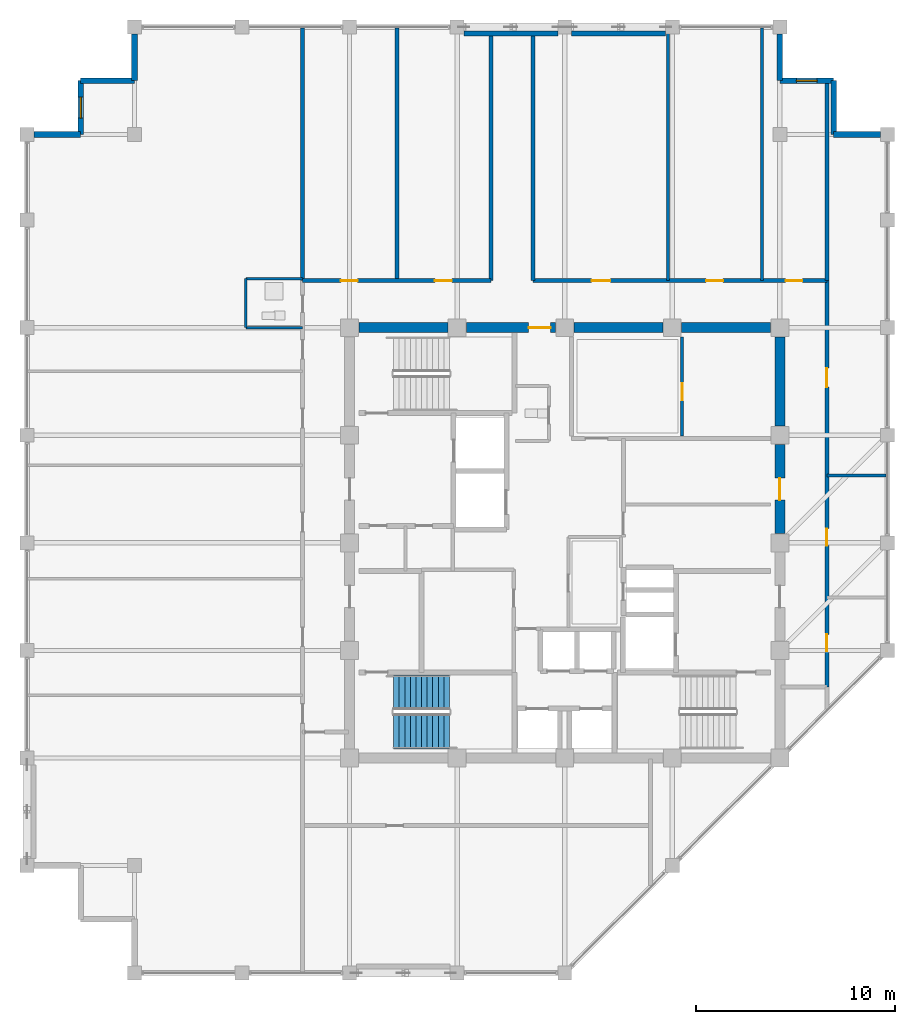
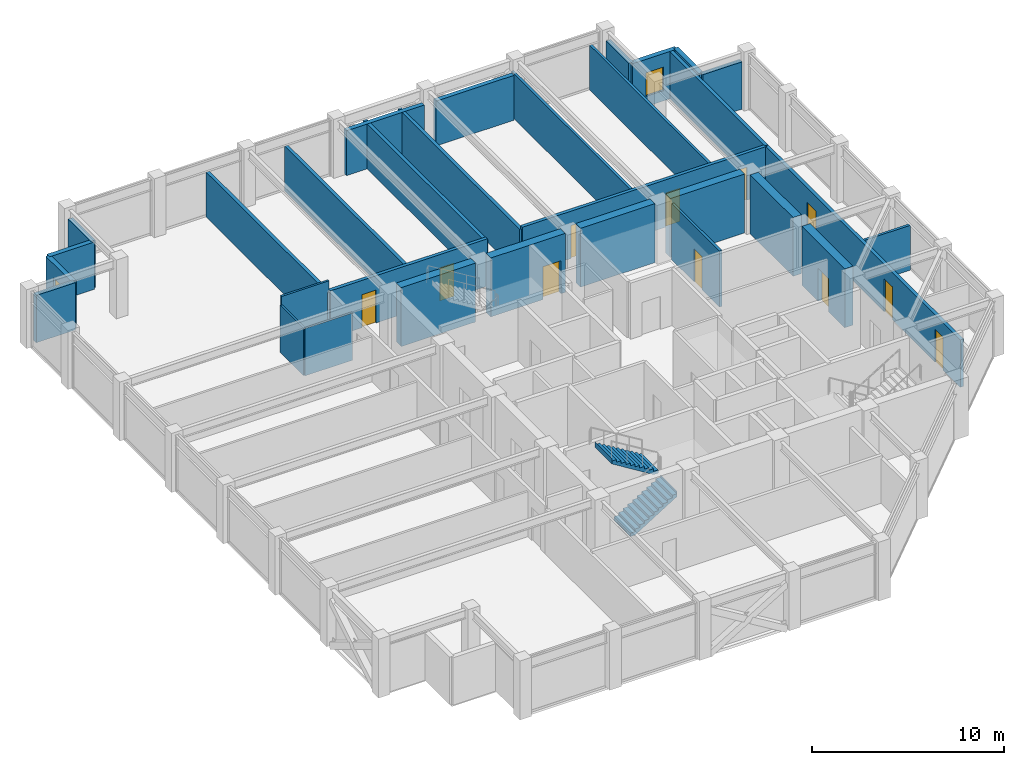
# One storey, part 28 of 31: 31 walls, 11 doors, 2 stair flights, 2 windows, 13 openings, 1 element without a shape of its own.
"""IFC4 building model written with IfcOpenShell, lengths in metres."""

import ifcopenshell
import ifcopenshell.guid

model = None  # the IFC model being written
_history = None  # IfcOwnerHistory: only IFC2X3 demands one
_inside = {}  # id of a spatial element -> (the spatial element, [elements in it])
_under = {}  # id of a project, library or spatial element -> (it, [spatial elements below it])
_declared = {}  # id of a project -> (the project, [libraries it declares])
_typed = {}  # id of a type object -> (the type object, [elements of that type])
_made_of = {}  # id of a material, layer set ... -> (it, [elements and type objects made of it])


def new_model(schema):
    """Start an empty IFC model of exactly this schema.

    Asked for "IFC4X3", IfcOpenShell would pick the latest addendum, in which some entities
    have other attributes; the version numbers below select the first issue.
    IFC2X3 requires an IfcOwnerHistory on every rooted entity: one is made here for all.
    """
    global model, _history
    if schema == "IFC4X3":
        model = ifcopenshell.file(schema_version=(4, 3, 0, 0))
    else:
        model = ifcopenshell.file(schema=schema)
    _inside.clear()
    _under.clear()
    _declared.clear()
    _typed.clear()
    _made_of.clear()
    _history = None
    if model.schema == "IFC2X3":
        org = make("IfcOrganization", Name="unknown")
        user = make(
            "IfcPersonAndOrganization",
            ThePerson=make("IfcPerson", FamilyName="unknown"),
            TheOrganization=org,
        )
        app = make(
            "IfcApplication",
            ApplicationDeveloper=org,
            Version="unknown",
            ApplicationFullName="unknown",
            ApplicationIdentifier="unknown",
        )
        _history = make(
            "IfcOwnerHistory",
            OwningUser=user,
            OwningApplication=app,
            ChangeAction="ADDED",
            CreationDate=0,
        )
    return model


def make(cls, **values):
    """One entity of the class cls with the attributes given. An attribute that is None is left unset."""
    return model.create_entity(
        cls, **{name: value for name, value in values.items() if value is not None}
    )


def rooted(cls, **values):
    """An entity with a GlobalId (a new one), such as an element, a storey or a relation."""
    return make(cls, GlobalId=ifcopenshell.guid.new(), OwnerHistory=_history, **values)


def si_unit(unit_type, name, prefix=None):
    """IfcSIUnit, for example si_unit("LENGTHUNIT", "METRE", prefix="MILLI")."""
    return make("IfcSIUnit", UnitType=unit_type, Prefix=prefix, Name=name)


def assignment(units):
    """IfcUnitAssignment: the units of a project."""
    return None if units is None else make("IfcUnitAssignment", Units=units)


def point(xyz):
    """IfcCartesianPoint."""
    return None if xyz is None else make("IfcCartesianPoint", Coordinates=xyz)


def direction(xyz):
    """IfcDirection."""
    return None if xyz is None else make("IfcDirection", DirectionRatios=xyz)


def frame(location, z_axis=None, x_axis=None):
    """IfcAxis2Placement3D, a coordinate frame: its origin and axes. An axis left out is left unset."""
    return make(
        "IfcAxis2Placement3D",
        Location=point(location),
        Axis=direction(z_axis),
        RefDirection=direction(x_axis),
    )


def frame_2d(location, x_axis=None):
    """IfcAxis2Placement2D, a coordinate frame in the plane: its origin and x axis."""
    return make(
        "IfcAxis2Placement2D", Location=point(location), RefDirection=direction(x_axis)
    )


def origin():
    """The frame at (0, 0, 0) with its axes left unset."""
    return frame((0.0, 0.0, 0.0))


def place(relative_to, where):
    """IfcLocalPlacement: puts the frame where relative to a parent placement (None: the world)."""
    return make(
        "IfcLocalPlacement", PlacementRelTo=relative_to, RelativePlacement=where
    )


def context(
    kind, dimensions, precision=None, world=None, true_north=None, identifier=None
):
    """IfcGeometricRepresentationContext, for example the 3D "Model" context."""
    return make(
        "IfcGeometricRepresentationContext",
        ContextIdentifier=identifier,
        ContextType=kind,
        CoordinateSpaceDimension=dimensions,
        Precision=precision,
        WorldCoordinateSystem=world,
        TrueNorth=true_north,
    )


def subcontext(parent, identifier, kind, view, scale=None):
    """IfcGeometricRepresentationSubContext, for example "Body" below "Model"."""
    return make(
        "IfcGeometricRepresentationSubContext",
        ContextIdentifier=identifier,
        ContextType=kind,
        ParentContext=parent,
        TargetScale=scale,
        TargetView=view,
    )


def project(units=None, contexts=None):
    """IfcProject with its units and contexts."""
    return rooted(
        "IfcProject",
        Name="project",
        RepresentationContexts=contexts,
        UnitsInContext=assignment(units),
    )


def spatial(cls, under=None, at=None, **own):
    """A site, building, storey or space (cls), placed at a placement, below another one or the project."""
    s = rooted(cls, ObjectPlacement=at, **own)
    if under is not None:
        _under.setdefault(under.id(), (under, []))[1].append(s)
    return s


def polyline(points):
    """IfcPolyline through the points."""
    return make("IfcPolyline", Points=[point(p) for p in points])


def profile(cls, at=None, kind="AREA", **sizes):
    """A parametric profile (cls). Its sizes go by their IFC names, for example OverallWidth=200.0."""
    return make(cls, ProfileType=kind, Position=at, **sizes)


def rectangle(**sizes):
    """IfcRectangleProfileDef."""
    return profile("IfcRectangleProfileDef", **sizes)


def outline(outer, holes=None, kind="AREA"):
    """IfcArbitraryClosedProfileDef: a profile drawn as a closed curve; with holes, ...WithVoids."""
    if holes is None:
        return make("IfcArbitraryClosedProfileDef", ProfileType=kind, OuterCurve=outer)
    return make(
        "IfcArbitraryProfileDefWithVoids",
        ProfileType=kind,
        OuterCurve=outer,
        InnerCurves=holes,
    )


def extrude(swept, where, along, depth):
    """IfcExtrudedAreaSolid: the profile swept, set in the frame where, extruded along a direction by depth."""
    return make(
        "IfcExtrudedAreaSolid",
        SweptArea=swept,
        Position=where,
        ExtrudedDirection=direction(along),
        Depth=depth,
    )


def shape(context_of_items, identifier, shape_type, items):
    """IfcShapeRepresentation: the items that make up one representation, for example the "Body"."""
    return make(
        "IfcShapeRepresentation",
        ContextOfItems=context_of_items,
        RepresentationIdentifier=identifier,
        RepresentationType=shape_type,
        Items=items,
    )


def material(Name=None, Category=None):
    """IfcMaterial."""
    return make("IfcMaterial", Name=Name, Category=Category)


def layer(
    of_material, thickness, ventilated=None, Name=None, Category=None, Priority=None
):
    """IfcMaterialLayer: one layer of a wall or slab, of a material (None: an air gap)."""
    return make(
        "IfcMaterialLayer",
        Material=of_material,
        LayerThickness=thickness,
        IsVentilated=ventilated,
        Name=Name,
        Category=Category,
        Priority=Priority,
    )


def layer_set(layers, Name=None):
    """IfcMaterialLayerSet."""
    return make("IfcMaterialLayerSet", MaterialLayers=layers, LayerSetName=Name)


def made_of(thing, what):
    """Note that an element or type object is made of a material, layer set ...; save() writes the relation."""
    if what is not None:
        _made_of.setdefault(what.id(), (what, []))[1].append(thing)
    return thing


def type_object(cls, material=None, **own):
    """A type object (cls), such as IfcWallType, which elements share."""
    return made_of(rooted(cls, **own), material)


def element(
    cls,
    number,
    at=None,
    inside=None,
    cuts=None,
    type_object=None,
    material=None,
    context=None,
    identifier="Body",
    shape_type=None,
    held_by="IfcProductDefinitionShape",
    body=None,
    shapes=None,
    **own,
):
    """One element of the class cls, such as IfcWall. Its Tag is "e" and its number.

    at: its placement. inside: the storey or other place that contains it. cuts: it is an
    opening in that element (IfcRelVoidsElement). A single representation is given by context,
    identifier, shape_type and body (its items); several are given by shapes. held_by: the class
    of the entity that holds the representations. save() writes the other relations.
    """
    e = rooted(cls, Tag="e%d" % number, ObjectPlacement=at, **own)
    if body is not None:
        shapes = [shape(context, identifier, shape_type, body)]
    if shapes is not None:
        e.Representation = make(held_by, Representations=shapes)
    if inside is not None:
        _inside.setdefault(inside.id(), (inside, []))[1].append(e)
    if cuts is not None:
        rooted(
            "IfcRelVoidsElement", RelatingBuildingElement=cuts, RelatedOpeningElement=e
        )
    if type_object is not None:
        _typed.setdefault(type_object.id(), (type_object, []))[1].append(e)
    return made_of(e, material)


def fill(opening, filler):
    """IfcRelFillsElement: the door or window that sits in an opening."""
    return rooted(
        "IfcRelFillsElement",
        RelatingOpeningElement=opening,
        RelatedBuildingElement=filler,
    )


def aggregate(whole, parts):
    """IfcRelAggregates: a whole, such as a stair, and the parts it consists of."""
    return rooted("IfcRelAggregates", RelatingObject=whole, RelatedObjects=parts)


def save(model, path):
    """Write the relations noted so far, then the file.

    IfcRelAggregates (storeys below a building ...), IfcRelContainedInSpatialStructure (elements
    in a storey), IfcRelDefinesByType, IfcRelAssociatesMaterial and IfcRelDeclares: one each for
    every whole, place, type object, material and project.
    """
    for whole, parts in _under.values():
        aggregate(whole, parts)
    for where, things in _inside.values():
        rooted(
            "IfcRelContainedInSpatialStructure",
            RelatedElements=things,
            RelatingStructure=where,
        )
    for kind, things in _typed.values():
        rooted("IfcRelDefinesByType", RelatedObjects=things, RelatingType=kind)
    for what, things in _made_of.values():
        rooted("IfcRelAssociatesMaterial", RelatedObjects=things, RelatingMaterial=what)
    for by, libraries in _declared.values():
        rooted("IfcRelDeclares", RelatingContext=by, RelatedDefinitions=libraries)
    model.write(path)


model = new_model("IFC4")

# Units and contexts
model_context = context("Model", 3, precision=1e-05, world=origin(), true_north=direction((0.0, 1.0)))
body_context = subcontext(model_context, "Body", "Model", "MODEL_VIEW")
ifc_project = project(units=[si_unit("LENGTHUNIT", "METRE"), si_unit("AREAUNIT", "SQUARE_METRE"), si_unit("VOLUMEUNIT", "CUBIC_METRE"), si_unit("PLANEANGLEUNIT", "RADIAN"), si_unit("MASSUNIT", "GRAM", prefix="KILO")], contexts=[model_context])

# Site, building, storey
site_placement = place(None, origin())
site = spatial("IfcSite", under=ifc_project, at=site_placement, CompositionType="ELEMENT")
building_placement = place(site_placement, origin())
building = spatial("IfcBuilding", under=site, at=building_placement, Name="Surkhivell Harbour Commons", CompositionType="ELEMENT")
storey_placement = place(building_placement, frame((0.0, 0.0, 285.0)))
storey = spatial("IfcBuildingStorey", under=building, at=storey_placement, Name="L74", CompositionType="ELEMENT", Elevation=285.0)

# Wall
ifc_material_1 = material(Name="Concrete C50/60", Category="concrete")
ifc_layer_1 = layer(ifc_material_1, 0.5)
ifc_layer_set_1 = layer_set([ifc_layer_1], Name="Concrete C50/60")
wall_type_1 = type_object("IfcWallType", Name="WAL-CORE-500", PredefinedType="SHEAR", material=ifc_layer_set_1)
wall_1_placement = place(storey_placement, frame((-10.340087890625, 10.800048828125, 0.0), z_axis=(0.0, 0.0, 1.0), x_axis=(1.0, 0.0, 0.0)))
element("IfcWall", 1, at=wall_1_placement, inside=storey, type_object=wall_type_1, Name="L74 Core Shear Wall North 1", PredefinedType="SHEAR", context=body_context, shape_type="SweptSolid", body=[
    extrude(rectangle(XDim=4.47998046875, YDim=0.5, at=frame_2d((2.239990234375, 0.0))), origin(), (0.0, 0.0, 1.0), 3.75),
])

# Wall, opening, door
wall_2_placement = place(storey_placement, frame((-4.93994140625, 10.800048828125, 0.0), z_axis=(0.0, 0.0, 1.0), x_axis=(1.0, 0.0, 0.0)))
wall_2 = element("IfcWall", 2, at=wall_2_placement, inside=storey, type_object=wall_type_1, Name="L74 Core Shear Wall North 2", PredefinedType="SHEAR", context=body_context, shape_type="SweptSolid", body=[
    extrude(rectangle(XDim=4.47998046875, YDim=0.5, at=frame_2d((2.239990234375, 0.0))), origin(), (0.0, 0.0, 1.0), 3.75),
])
opening_1_placement = place(wall_2_placement, frame((3.1298828125, 0.0, 0.0)))
opening_1 = element("IfcOpeningElement", 3, at=opening_1_placement, cuts=wall_2, Name="Opening ID-2", PredefinedType="OPENING", context=body_context, shape_type="SweptSolid", body=[
    extrude(rectangle(XDim=1.10009765625, YDim=2.10009765625, at=frame_2d((0.550048828125, 1.050048828125))), frame((0.0, 0.260009765625, 0.0), z_axis=(0.0, -1.0, 0.0), x_axis=(1.0, 0.0, 0.0)), (0.0, 0.0, 1.0), 0.52001953125),
])
ifc_material_2 = material(Name="Hardwood-veneered fire-rated door leaf", Category="wood")
door_type_1 = type_object("IfcDoorType", Name="DOR-FD60-1100", OperationType="NOTDEFINED", PredefinedType="DOOR", material=ifc_material_2)
door_1_placement = place(opening_1_placement, origin())
door_1 = element("IfcDoor", 4, at=door_1_placement, inside=storey, type_object=door_type_1, Name="L74 Central Core Lift Hall North Corridor Door", OperationType="SINGLE_SWING_LEFT", OverallHeight=2.10009765625, OverallWidth=1.10009765625, PredefinedType="DOOR", context=body_context, shape_type="SweptSolid", body=[
    extrude(rectangle(XDim=1.10009765625, YDim=2.10009765625, at=frame_2d((0.550048828125, 1.050048828125))), frame((0.0, 0.02490234375, 0.0), z_axis=(0.0, -1.0, 0.0), x_axis=(1.0, 0.0, 0.0)), (0.0, 0.0, 1.0), 0.050048828125),
])
fill(opening_1, door_1)

# Wall
wall_3_placement = place(storey_placement, frame((0.4599609375, 10.800048828125, 0.0), z_axis=(0.0, 0.0, 1.0), x_axis=(1.0, 0.0, 0.0)))
element("IfcWall", 5, at=wall_3_placement, inside=storey, type_object=wall_type_1, Name="L74 Core Shear Wall North 3", PredefinedType="SHEAR", context=body_context, shape_type="SweptSolid", body=[
    extrude(rectangle(XDim=4.47998046875, YDim=0.5, at=frame_2d((2.239990234375, 0.0))), origin(), (0.0, 0.0, 1.0), 3.75),
])

# Wall, opening, door
wall_4_placement = place(storey_placement, frame((10.800048828125, 0.4599609375, 0.0), z_axis=(0.0, 0.0, 1.0), x_axis=(0.0, 1.0, 0.0)))
wall_4 = element("IfcWall", 6, at=wall_4_placement, inside=storey, type_object=wall_type_1, Name="L74 Core Shear Wall East 3", PredefinedType="SHEAR", context=body_context, shape_type="SweptSolid", body=[
    extrude(rectangle(XDim=4.47998046875, YDim=0.5, at=frame_2d((2.239990234375, 0.0))), origin(), (0.0, 0.0, 1.0), 3.75),
])
opening_2_placement = place(wall_4_placement, frame((1.68994140625, 0.0, 0.0)))
opening_2 = element("IfcOpeningElement", 7, at=opening_2_placement, cuts=wall_4, Name="Opening ID-2", PredefinedType="OPENING", context=body_context, shape_type="SweptSolid", body=[
    extrude(rectangle(XDim=1.10009765625, YDim=2.10009765625, at=frame_2d((0.550048828125, 1.050048828125))), frame((0.0, 0.260009765625, 0.0), z_axis=(0.0, -1.0, 0.0), x_axis=(1.0, 0.0, 0.0)), (0.0, 0.0, 1.0), 0.52001953125),
])
door_2_placement = place(opening_2_placement, origin())
door_2 = element("IfcDoor", 8, at=door_2_placement, inside=storey, type_object=door_type_1, Name="L74 Quiet Study B East Door", OperationType="SINGLE_SWING_RIGHT", OverallHeight=2.10009765625, OverallWidth=1.10009765625, PredefinedType="DOOR", context=body_context, shape_type="SweptSolid", body=[
    extrude(rectangle(XDim=1.10009765625, YDim=2.10009765625, at=frame_2d((0.550048828125, 1.050048828125))), frame((0.0, 0.02490234375, 0.0), z_axis=(0.0, -1.0, 0.0), x_axis=(1.0, 0.0, 0.0)), (0.0, 0.0, 1.0), 0.050048828125),
])
fill(opening_2, door_2)

# Walls
for number, where, z_axis, x_axis, name in (
    (9, (5.860107421875, 10.800048828125, 0.0), (0.0, 0.0, 1.0), (1.0, 0.0, 0.0), "L74 Core Shear Wall North 4"),
    (10, (10.800048828125, 5.860107421875, 0.0), (0.0, 0.0, 1.0), (0.0, 1.0, 0.0), "L74 Core Shear Wall East 4"),
):
    element("IfcWall", number, at=place(storey_placement, frame(where, z_axis=z_axis, x_axis=x_axis)), inside=storey, type_object=wall_type_1, Name=name, PredefinedType="SHEAR", context=body_context, shape_type="SweptSolid", body=[
        extrude(rectangle(XDim=4.47998046875, YDim=0.5, at=frame_2d((2.239990234375, 0.0))), origin(), (0.0, 0.0, 1.0), 3.75),
    ])
ifc_material_3 = material(Name="Pale-metal insulated precast concrete C45/55", Category="concrete")
ifc_layer_2 = layer(ifc_material_3, 0.260009765625)
ifc_layer_set_2 = layer_set([ifc_layer_2], Name="Pale-metal insulated precast concrete C45/55")
wall_type_2 = type_object("IfcWallType", Name="WAL-EXT-MTL260", PredefinedType="STANDARD", material=ifc_layer_set_2)
for number, where, z_axis, x_axis, name in (
    (11, (-0.347900390625, 25.56494140625, 0.0), (0.0, 0.0, 1.0), (-1.0, 0.0, 0.0), "L74 Braced-Bay Insulated Spandrel Backing N"),
    (12, (5.052001953125, 25.56494140625, 0.0), (0.0, 0.0, 1.0), (-1.0, 0.0, 0.0), "L74 Braced-Bay Insulated Spandrel Backing N2"),
):
    element("IfcWall", number, at=place(storey_placement, frame(where, z_axis=z_axis, x_axis=x_axis)), inside=storey, type_object=wall_type_2, Name=name, PredefinedType="STANDARD", context=body_context, shape_type="SweptSolid", body=[
        extrude(rectangle(XDim=4.7041015625, YDim=0.260009765625, at=frame_2d((2.35205078125, 0.0))), origin(), (0.0, 0.0, 1.0), 2.85693359375),
    ])
ifc_material_4 = material(Name="Terracotta-clad reinforced concrete C45/55", Category="masonry")
ifc_layer_3 = layer(ifc_material_4, 0.280029296875)
ifc_layer_set_3 = layer_set([ifc_layer_3], Name="Terracotta-clad reinforced concrete C45/55")
wall_type_3 = type_object("IfcWallType", Name="WAL-EXT-TER280", PredefinedType="STANDARD", material=ifc_layer_set_3)
wall_5_placement = place(storey_placement, frame((15.85205078125, 20.5, 0.0), z_axis=(0.0, 0.0, 1.0), x_axis=(-1.0, 0.0, 0.0)))
element("IfcWall", 13, at=wall_5_placement, inside=storey, type_object=wall_type_3, Name="L74 Serrated Corner Facade Wall 03", PredefinedType="STANDARD", context=body_context, shape_type="SweptSolid", body=[
    extrude(rectangle(XDim=2.35205078125, YDim=0.280029296875, at=frame_2d((1.176025390625, 0.0))), origin(), (0.0, 0.0, 1.0), 3.012939453125),
])
wall_6_placement = place(storey_placement, frame((13.5, 20.5, 0.0), z_axis=(0.0, 0.0, 1.0), x_axis=(0.0, 1.0, 0.0)))
element("IfcWall", 14, at=wall_6_placement, inside=storey, type_object=wall_type_3, Name="L74 Serrated Corner Facade Wall 04", PredefinedType="STANDARD", context=body_context, shape_type="SweptSolid", body=[
    extrude(rectangle(XDim=2.699951171875, YDim=0.280029296875, at=frame_2d((1.35009765625, 0.0))), origin(), (0.0, 0.0, 1.0), 3.012939453125),
])

# Wall, opening, window
wall_7_placement = place(storey_placement, frame((13.5, 23.199951171875, 0.0), z_axis=(0.0, 0.0, 1.0), x_axis=(-1.0, 0.0, 0.0)))
wall_7 = element("IfcWall", 15, at=wall_7_placement, inside=storey, type_object=wall_type_3, Name="L74 Serrated Corner Facade Wall 05", PredefinedType="STANDARD", context=body_context, shape_type="SweptSolid", body=[
    extrude(rectangle(XDim=2.699951171875, YDim=0.280029296875, at=frame_2d((1.35009765625, 0.0))), origin(), (0.0, 0.0, 1.0), 3.012939453125),
])
opening_3_placement = place(wall_7_placement, frame((0.824951171875, 0.0, 0.64990234375)))
opening_3 = element("IfcOpeningElement", 16, at=opening_3_placement, cuts=wall_7, Name="Opening WN-11", PredefinedType="OPENING", context=body_context, shape_type="SweptSolid", body=[
    extrude(rectangle(XDim=1.050048828125, YDim=1.5, at=frame_2d((0.52490234375, 0.75))), frame((0.0, 0.14990234375, 0.0), z_axis=(0.0, -1.0, 0.0), x_axis=(1.0, 0.0, 0.0)), (0.0, 0.0, 1.0), 0.300048828125),
])
ifc_material_5 = material(Name="Thermal-break aluminium frame and double low-E glazing", Category="aluminium")
window_type = type_object("IfcWindowType", Name="WIN-SER-1050x1500", PartitioningType="SINGLE_PANEL", PredefinedType="WINDOW", material=ifc_material_5)
window_1_placement = place(opening_3_placement, origin())
window_1 = element("IfcWindow", 17, at=window_1_placement, inside=storey, type_object=window_type, Name="L74 Serrated Alcove Window 05", OverallHeight=1.5, OverallWidth=1.050048828125, PartitioningType="SINGLE_PANEL", PredefinedType="WINDOW", context=body_context, shape_type="SweptSolid", body=[
    extrude(rectangle(XDim=1.050048828125, YDim=1.5, at=frame_2d((0.52490234375, 0.75))), frame((0.0, 0.030029296875, 0.0), z_axis=(0.0, -1.0, 0.0), x_axis=(1.0, 0.0, 0.0)), (0.0, 0.0, 1.0), 0.06005859375),
])
fill(opening_3, window_1)

# Walls
for number, where, z_axis, x_axis, name in (
    (18, (10.800048828125, 23.199951171875, 0.0), (0.0, 0.0, 1.0), (0.0, 1.0, 0.0), "L74 Serrated Corner Facade Wall 06"),
    (19, (-21.60009765625, 25.552001953125, 0.0), (0.0, 0.0, 1.0), (0.0, -1.0, 0.0), "L74 Serrated Corner Facade Wall 08"),
):
    element("IfcWall", number, at=place(storey_placement, frame(where, z_axis=z_axis, x_axis=x_axis)), inside=storey, type_object=wall_type_3, Name=name, PredefinedType="STANDARD", context=body_context, shape_type="SweptSolid", body=[
        extrude(rectangle(XDim=2.35205078125, YDim=0.280029296875, at=frame_2d((1.176025390625, 0.0))), origin(), (0.0, 0.0, 1.0), 3.012939453125),
    ])
wall_8_placement = place(storey_placement, frame((-21.60009765625, 23.199951171875, 0.0), z_axis=(0.0, 0.0, 1.0), x_axis=(-1.0, 0.0, 0.0)))
element("IfcWall", 20, at=wall_8_placement, inside=storey, type_object=wall_type_3, Name="L74 Serrated Corner Facade Wall 09", PredefinedType="STANDARD", context=body_context, shape_type="SweptSolid", body=[
    extrude(rectangle(XDim=2.699951171875, YDim=0.280029296875, at=frame_2d((1.35009765625, 0.0))), origin(), (0.0, 0.0, 1.0), 3.012939453125),
])

# Wall, opening, window
wall_9_placement = place(storey_placement, frame((-24.300048828125, 23.199951171875, 0.0), z_axis=(0.0, 0.0, 1.0), x_axis=(0.0, -1.0, 0.0)))
wall_9 = element("IfcWall", 21, at=wall_9_placement, inside=storey, type_object=wall_type_3, Name="L74 Serrated Corner Facade Wall 10", PredefinedType="STANDARD", context=body_context, shape_type="SweptSolid", body=[
    extrude(rectangle(XDim=2.699951171875, YDim=0.280029296875, at=frame_2d((1.35009765625, 0.0))), origin(), (0.0, 0.0, 1.0), 3.012939453125),
])
opening_4_placement = place(wall_9_placement, frame((0.824951171875, 0.0, 0.64990234375)))
opening_4 = element("IfcOpeningElement", 22, at=opening_4_placement, cuts=wall_9, Name="Opening WN-11", PredefinedType="OPENING", context=body_context, shape_type="SweptSolid", body=[
    extrude(rectangle(XDim=1.050048828125, YDim=1.5, at=frame_2d((0.52490234375, 0.75))), frame((0.0, 0.14990234375, 0.0), z_axis=(0.0, -1.0, 0.0), x_axis=(1.0, 0.0, 0.0)), (0.0, 0.0, 1.0), 0.300048828125),
])
window_2_placement = place(opening_4_placement, origin())
window_2 = element("IfcWindow", 23, at=window_2_placement, inside=storey, type_object=window_type, Name="L74 Serrated Alcove Window 10", OverallHeight=1.5, OverallWidth=1.050048828125, PartitioningType="SINGLE_PANEL", PredefinedType="WINDOW", context=body_context, shape_type="SweptSolid", body=[
    extrude(rectangle(XDim=1.050048828125, YDim=1.5, at=frame_2d((0.52490234375, 0.75))), frame((0.0, 0.030029296875, 0.0), z_axis=(0.0, -1.0, 0.0), x_axis=(1.0, 0.0, 0.0)), (0.0, 0.0, 1.0), 0.06005859375),
])
fill(opening_4, window_2)

# Walls
wall_10_placement = place(storey_placement, frame((-24.300048828125, 20.5, 0.0), z_axis=(0.0, 0.0, 1.0), x_axis=(-1.0, 0.0, 0.0)))
element("IfcWall", 24, at=wall_10_placement, inside=storey, type_object=wall_type_3, Name="L74 Serrated Corner Facade Wall 11", PredefinedType="STANDARD", context=body_context, shape_type="SweptSolid", body=[
    extrude(rectangle(XDim=2.35205078125, YDim=0.280029296875, at=frame_2d((1.176025390625, 0.0))), origin(), (0.0, 0.0, 1.0), 3.012939453125),
])
ifc_material_6 = material(Name="Moisture-resistant acoustic stud partition", Category="other")
ifc_layer_4 = layer(ifc_material_6, 0.125)
ifc_layer_set_4 = layer_set([ifc_layer_4], Name="Moisture-resistant acoustic stud partition")
wall_type_4 = type_object("IfcWallType", Name="WAL-INT-125", PredefinedType="PARTITIONING", material=ifc_layer_set_4)
wall_11_placement = place(storey_placement, frame((-16.010009765625, 10.81005859375, 0.0), z_axis=(0.0, 0.0, 1.0), x_axis=(0.0, 1.0, 0.0)))
element("IfcWall", 25, at=wall_11_placement, inside=storey, type_object=wall_type_4, Name="L74 West Partition BTHB", PredefinedType="PARTITIONING", context=body_context, shape_type="SweptSolid", body=[
    extrude(rectangle(XDim=2.449951171875, YDim=0.125, at=frame_2d((1.22509765625, 0.0))), origin(), (0.0, 0.0, 1.0), 3.012939453125),
])
wall_12_placement = place(storey_placement, frame((-16.010009765625, 13.260009765625, 0.0), z_axis=(0.0, 0.0, 1.0), x_axis=(1.0, 0.0, 0.0)))
element("IfcWall", 26, at=wall_12_placement, inside=storey, type_object=wall_type_4, Name="L74 West Partition BTHN", PredefinedType="PARTITIONING", context=body_context, shape_type="SweptSolid", body=[
    extrude(rectangle(XDim=2.85009765625, YDim=0.125, at=frame_2d((1.425048828125, 0.0))), origin(), (0.0, 0.0, 1.0), 3.570068359375),
])
wall_13_placement = place(storey_placement, frame((-16.010009765625, 10.81005859375, 0.0), z_axis=(0.0, 0.0, 1.0), x_axis=(1.0, 0.0, 0.0)))
element("IfcWall", 27, at=wall_13_placement, inside=storey, type_object=wall_type_4, Name="L74 West Partition BTHS", PredefinedType="PARTITIONING", context=body_context, shape_type="SweptSolid", body=[
    extrude(rectangle(XDim=2.85009765625, YDim=0.125, at=frame_2d((1.425048828125, 0.0))), origin(), (0.0, 0.0, 1.0), 3.012939453125),
])

# Wall, opening, door
ifc_material_7 = material(Name="Twin-stud acoustic fireboard partition", Category="other")
ifc_layer_5 = layer(ifc_material_7, 0.14990234375)
ifc_layer_set_5 = layer_set([ifc_layer_5], Name="Twin-stud acoustic fireboard partition")
wall_type_5 = type_object("IfcWallType", Name="WAL-INT-150", PredefinedType="PARTITIONING", material=ifc_layer_set_5)
wall_14_placement = place(storey_placement, frame((5.89990234375, 5.360107421875, 0.0), z_axis=(0.0, 0.0, 1.0), x_axis=(0.0, 1.0, 0.0)))
wall_14 = element("IfcWall", 28, at=wall_14_placement, inside=storey, type_object=wall_type_5, Name="L74 Study Pod Wall 1", PredefinedType="PARTITIONING", context=body_context, shape_type="SweptSolid", body=[
    extrude(rectangle(XDim=4.97998046875, YDim=0.14990234375, at=frame_2d((2.489990234375, 0.0))), origin(), (0.0, 0.0, 1.0), 3.570068359375),
])
opening_5_placement = place(wall_14_placement, frame((1.800048828125, 0.0, 0.0)))
opening_5 = element("IfcOpeningElement", 29, at=opening_5_placement, cuts=wall_14, Name="Opening ID-6", PredefinedType="OPENING", context=body_context, shape_type="SweptSolid", body=[
    extrude(rectangle(XDim=0.85009765625, YDim=2.10009765625, at=frame_2d((0.425048828125, 1.050048828125))), frame((0.0, 0.0849609375, 0.0), z_axis=(0.0, -1.0, 0.0), x_axis=(1.0, 0.0, 0.0)), (0.0, 0.0, 1.0), 0.169921875),
])
door_type_2 = type_object("IfcDoorType", Name="DOR-FD30-850", OperationType="NOTDEFINED", PredefinedType="DOOR", material=ifc_material_2)
door_3_placement = place(opening_5_placement, origin())
door_3 = element("IfcDoor", 30, at=door_3_placement, inside=storey, type_object=door_type_2, Name="L74 Core Music Door", OperationType="SINGLE_SWING_RIGHT", OverallHeight=2.10009765625, OverallWidth=0.85009765625, PredefinedType="DOOR", context=body_context, shape_type="SweptSolid", body=[
    extrude(rectangle(XDim=0.85009765625, YDim=2.10009765625, at=frame_2d((0.425048828125, 1.050048828125))), frame((0.0, 0.02490234375, 0.0), z_axis=(0.0, -1.0, 0.0), x_axis=(1.0, 0.0, 0.0)), (0.0, 0.0, 1.0), 0.050048828125),
])
fill(opening_5, door_3)

# Walls
wall_15_placement = place(storey_placement, frame((13.159912109375, 3.3701171875, 0.0), z_axis=(0.0, 0.0, 1.0), x_axis=(1.0, 0.0, 0.0)))
element("IfcWall", 31, at=wall_15_placement, inside=storey, type_object=wall_type_5, Name="L74 East Partition P2", PredefinedType="PARTITIONING", context=body_context, shape_type="SweptSolid", body=[
    extrude(rectangle(XDim=2.97998046875, YDim=0.14990234375, at=frame_2d((1.489990234375, 0.0))), origin(), (0.0, 0.0, 1.0), 2.85693359375),
])
for number, where, z_axis, x_axis, name in (
    (32, (5.18994140625, 13.159912109375, 0.0), (0.0, 0.0, 1.0), (0.0, 1.0, 0.0), "L74 North-East Partition P1"),
    (33, (9.909912109375, 13.159912109375, 0.0), (0.0, 0.0, 1.0), (0.0, 1.0, 0.0), "L74 North-East Partition P2"),
):
    element("IfcWall", number, at=place(storey_placement, frame(where, z_axis=z_axis, x_axis=x_axis)), inside=storey, type_object=wall_type_5, Name=name, PredefinedType="PARTITIONING", context=body_context, shape_type="SweptSolid", body=[
        extrude(rectangle(XDim=12.68017578125, YDim=0.14990234375, at=frame_2d((6.340087890625, 0.0))), origin(), (0.0, 0.0, 1.0), 2.85693359375),
    ])
ifc_material_8 = material(Name="Autoclaved aerated concrete blockwork and fire plaster", Category="masonry")
ifc_layer_6 = layer(ifc_material_8, 0.199951171875)
ifc_layer_set_6 = layer_set([ifc_layer_6], Name="Autoclaved aerated concrete blockwork and fire plaster")
wall_type_6 = type_object("IfcWallType", Name="WAL-INT-200", PredefinedType="PARTITIONING", material=ifc_layer_set_6)
wall_16_placement = place(storey_placement, frame((13.159912109375, 13.159912109375, 0.0), z_axis=(0.0, 0.0, 1.0), x_axis=(0.0, 1.0, 0.0)))
element("IfcWall", 34, at=wall_16_placement, inside=storey, type_object=wall_type_6, Name="L74 North-East Corner Wall", PredefinedType="PARTITIONING", context=body_context, shape_type="SweptSolid", body=[
    extrude(rectangle(XDim=9.97998046875, YDim=0.199951171875, at=frame_2d((4.989990234375, 0.0))), origin(), (0.0, 0.0, 1.0), 3.012939453125),
])
wall_17_placement = place(storey_placement, frame((-13.159912109375, 13.159912109375, 0.0), z_axis=(0.0, 0.0, 1.0), x_axis=(0.0, 1.0, 0.0)))
element("IfcWall", 35, at=wall_17_placement, inside=storey, type_object=wall_type_6, Name="L74 North-West Corner Wall", PredefinedType="PARTITIONING", context=body_context, shape_type="SweptSolid", body=[
    extrude(rectangle(XDim=12.68017578125, YDim=0.199951171875, at=frame_2d((6.340087890625, 0.0))), origin(), (0.0, 0.0, 1.0), 2.85693359375),
])

# Wall, openings, doors
wall_18_placement = place(storey_placement, frame((13.159912109375, -7.239990234375, 0.0), z_axis=(0.0, 0.0, 1.0), x_axis=(0.0, 1.0, 0.0)))
wall_18 = element("IfcWall", 36, at=wall_18_placement, inside=storey, type_object=wall_type_6, Name="L74 East Corridor Wall", PredefinedType="PARTITIONING", context=body_context, shape_type="SweptSolid", body=[
    extrude(rectangle(XDim=20.39990234375, YDim=0.199951171875, at=frame_2d((10.199951171875, 0.0))), origin(), (0.0, 0.0, 1.0), 3.012939453125),
])
opening_6_placement = place(wall_18_placement, frame((1.794921875, 0.0, 0.0)))
opening_6 = element("IfcOpeningElement", 37, at=opening_6_placement, cuts=wall_18, Name="Opening ID-6", PredefinedType="OPENING", context=body_context, shape_type="SweptSolid", body=[
    extrude(rectangle(XDim=0.85009765625, YDim=2.10009765625, at=frame_2d((0.425048828125, 1.050048828125))), frame((0.0, 0.10986328125, 0.0), z_axis=(0.0, -1.0, 0.0), x_axis=(1.0, 0.0, 0.0)), (0.0, 0.0, 1.0), 0.219970703125),
])
opening_7_placement = place(wall_18_placement, frame((7.10009765625, 0.0, 0.0)))
opening_7 = element("IfcOpeningElement", 38, at=opening_7_placement, cuts=wall_18, Name="Opening ID-6", PredefinedType="OPENING", context=body_context, shape_type="SweptSolid", body=[
    extrude(rectangle(XDim=0.85009765625, YDim=2.10009765625, at=frame_2d((0.425048828125, 1.050048828125))), frame((0.0, 0.10986328125, 0.0), z_axis=(0.0, -1.0, 0.0), x_axis=(1.0, 0.0, 0.0)), (0.0, 0.0, 1.0), 0.219970703125),
])
opening_8_placement = place(wall_18_placement, frame((15.054931640625, 0.0, 0.0)))
opening_8 = element("IfcOpeningElement", 39, at=opening_8_placement, cuts=wall_18, Name="Opening ID-4", PredefinedType="OPENING", context=body_context, shape_type="SweptSolid", body=[
    extrude(rectangle(XDim=0.949951171875, YDim=2.10009765625, at=frame_2d((0.47509765625, 1.050048828125))), frame((0.0, 0.10986328125, 0.0), z_axis=(0.0, -1.0, 0.0), x_axis=(1.0, 0.0, 0.0)), (0.0, 0.0, 1.0), 0.219970703125),
])
door_4_placement = place(opening_6_placement, origin())
door_4 = element("IfcDoor", 40, at=door_4_placement, inside=storey, type_object=door_type_2, Name="L74 Co-Working Study Office 1 East Door", OperationType="SINGLE_SWING_RIGHT", OverallHeight=2.10009765625, OverallWidth=0.85009765625, PredefinedType="DOOR", context=body_context, shape_type="SweptSolid", body=[
    extrude(rectangle(XDim=0.85009765625, YDim=2.10009765625, at=frame_2d((0.425048828125, 1.050048828125))), frame((0.0, 0.02490234375, 0.0), z_axis=(0.0, -1.0, 0.0), x_axis=(1.0, 0.0, 0.0)), (0.0, 0.0, 1.0), 0.050048828125),
])
fill(opening_6, door_4)
door_5_placement = place(opening_7_placement, origin())
door_5 = element("IfcDoor", 41, at=door_5_placement, inside=storey, type_object=door_type_2, Name="L74 Co-Working Study Office 2 East Door", OperationType="SINGLE_SWING_LEFT", OverallHeight=2.10009765625, OverallWidth=0.85009765625, PredefinedType="DOOR", context=body_context, shape_type="SweptSolid", body=[
    extrude(rectangle(XDim=0.85009765625, YDim=2.10009765625, at=frame_2d((0.425048828125, 1.050048828125))), frame((0.0, 0.02490234375, 0.0), z_axis=(0.0, -1.0, 0.0), x_axis=(1.0, 0.0, 0.0)), (0.0, 0.0, 1.0), 0.050048828125),
])
fill(opening_7, door_5)
door_type_3 = type_object("IfcDoorType", Name="DOR-FD60-950", OperationType="NOTDEFINED", PredefinedType="DOOR", material=ifc_material_2)
door_6_placement = place(opening_8_placement, origin())
door_6 = element("IfcDoor", 42, at=door_6_placement, inside=storey, type_object=door_type_3, Name="L74 Co-Working Study Office 3 East Door", OperationType="SINGLE_SWING_RIGHT", OverallHeight=2.10009765625, OverallWidth=0.949951171875, PredefinedType="DOOR", context=body_context, shape_type="SweptSolid", body=[
    extrude(rectangle(XDim=0.949951171875, YDim=2.10009765625, at=frame_2d((0.47509765625, 1.050048828125))), frame((0.0, 0.02490234375, 0.0), z_axis=(0.0, -1.0, 0.0), x_axis=(1.0, 0.0, 0.0)), (0.0, 0.0, 1.0), 0.050048828125),
])
fill(opening_8, door_6)

wall_19_placement = place(storey_placement, frame((-13.159912109375, 13.159912109375, 0.0), z_axis=(0.0, 0.0, 1.0), x_axis=(1.0, 0.0, 0.0)))
wall_19 = element("IfcWall", 43, at=wall_19_placement, inside=storey, type_object=wall_type_6, Name="L74 North-West Corridor Wall", PredefinedType="PARTITIONING", context=body_context, shape_type="SweptSolid", body=[
    extrude(rectangle(XDim=9.4599609375, YDim=0.199951171875, at=frame_2d((4.72998046875, 0.0))), origin(), (0.0, 0.0, 1.0), 3.012939453125),
])
opening_9_placement = place(wall_19_placement, frame((1.9150390625, 0.0, 0.0)))
opening_9 = element("IfcOpeningElement", 44, at=opening_9_placement, cuts=wall_19, Name="Opening ID-6", PredefinedType="OPENING", context=body_context, shape_type="SweptSolid", body=[
    extrude(rectangle(XDim=0.85009765625, YDim=2.10009765625, at=frame_2d((0.425048828125, 1.050048828125))), frame((0.0, 0.10986328125, 0.0), z_axis=(0.0, -1.0, 0.0), x_axis=(1.0, 0.0, 0.0)), (0.0, 0.0, 1.0), 0.219970703125),
])
opening_10_placement = place(wall_19_placement, frame((6.64501953125, 0.0, 0.0)))
opening_10 = element("IfcOpeningElement", 45, at=opening_10_placement, cuts=wall_19, Name="Opening ID-6", PredefinedType="OPENING", context=body_context, shape_type="SweptSolid", body=[
    extrude(rectangle(XDim=0.85009765625, YDim=2.10009765625, at=frame_2d((0.425048828125, 1.050048828125))), frame((0.0, 0.10986328125, 0.0), z_axis=(0.0, -1.0, 0.0), x_axis=(1.0, 0.0, 0.0)), (0.0, 0.0, 1.0), 0.219970703125),
])
door_7_placement = place(opening_9_placement, origin())
door_7 = element("IfcDoor", 46, at=door_7_placement, inside=storey, type_object=door_type_2, Name="L74 Campus Co-Op Bookshop North-West Door", OperationType="SINGLE_SWING_LEFT", OverallHeight=2.10009765625, OverallWidth=0.85009765625, PredefinedType="DOOR", context=body_context, shape_type="SweptSolid", body=[
    extrude(rectangle(XDim=0.85009765625, YDim=2.10009765625, at=frame_2d((0.425048828125, 1.050048828125))), frame((0.0, 0.02490234375, 0.0), z_axis=(0.0, -1.0, 0.0), x_axis=(1.0, 0.0, 0.0)), (0.0, 0.0, 1.0), 0.050048828125),
])
fill(opening_9, door_7)
door_8_placement = place(opening_10_placement, origin())
door_8 = element("IfcDoor", 47, at=door_8_placement, inside=storey, type_object=door_type_2, Name="L74 Harbour Espresso Cafe Shop North-West Door", OperationType="SINGLE_SWING_RIGHT", OverallHeight=2.10009765625, OverallWidth=0.85009765625, PredefinedType="DOOR", context=body_context, shape_type="SweptSolid", body=[
    extrude(rectangle(XDim=0.85009765625, YDim=2.10009765625, at=frame_2d((0.425048828125, 1.050048828125))), frame((0.0, 0.02490234375, 0.0), z_axis=(0.0, -1.0, 0.0), x_axis=(1.0, 0.0, 0.0)), (0.0, 0.0, 1.0), 0.050048828125),
])
fill(opening_10, door_8)

wall_20_placement = place(storey_placement, frame((-1.60009765625, 13.159912109375, 0.0), z_axis=(0.0, 0.0, 1.0), x_axis=(1.0, 0.0, 0.0)))
wall_20 = element("IfcWall", 48, at=wall_20_placement, inside=storey, type_object=wall_type_6, Name="L74 North-East Corridor Wall", PredefinedType="PARTITIONING", context=body_context, shape_type="SweptSolid", body=[
    extrude(rectangle(XDim=14.760009765625, YDim=0.199951171875, at=frame_2d((7.3798828125, 0.0))), origin(), (0.0, 0.0, 1.0), 3.012939453125),
])
opening_11_placement = place(wall_20_placement, frame((2.945068359375, 0.0, 0.0)))
opening_11 = element("IfcOpeningElement", 49, at=opening_11_placement, cuts=wall_20, Name="Opening ID-4", PredefinedType="OPENING", context=body_context, shape_type="SweptSolid", body=[
    extrude(rectangle(XDim=0.949951171875, YDim=2.10009765625, at=frame_2d((0.47509765625, 1.050048828125))), frame((0.0, 0.10986328125, 0.0), z_axis=(0.0, -1.0, 0.0), x_axis=(1.0, 0.0, 0.0)), (0.0, 0.0, 1.0), 0.219970703125),
])
opening_12_placement = place(wall_20_placement, frame((8.699951171875, 0.0, 0.0)))
opening_12 = element("IfcOpeningElement", 50, at=opening_12_placement, cuts=wall_20, Name="Opening ID-6", PredefinedType="OPENING", context=body_context, shape_type="SweptSolid", body=[
    extrude(rectangle(XDim=0.85009765625, YDim=2.10009765625, at=frame_2d((0.425048828125, 1.050048828125))), frame((0.0, 0.10986328125, 0.0), z_axis=(0.0, -1.0, 0.0), x_axis=(1.0, 0.0, 0.0)), (0.0, 0.0, 1.0), 0.219970703125),
])
opening_13_placement = place(wall_20_placement, frame((12.68505859375, 0.0, 0.0)))
opening_13 = element("IfcOpeningElement", 51, at=opening_13_placement, cuts=wall_20, Name="Opening ID-6", PredefinedType="OPENING", context=body_context, shape_type="SweptSolid", body=[
    extrude(rectangle(XDim=0.85009765625, YDim=2.10009765625, at=frame_2d((0.425048828125, 1.050048828125))), frame((0.0, 0.10986328125, 0.0), z_axis=(0.0, -1.0, 0.0), x_axis=(1.0, 0.0, 0.0)), (0.0, 0.0, 1.0), 0.219970703125),
])
door_9_placement = place(opening_12_placement, origin())
door_9 = element("IfcDoor", 52, at=door_9_placement, inside=storey, type_object=door_type_2, Name="L74 Resident Social Lounge 2 North-East Door", OperationType="SINGLE_SWING_RIGHT", OverallHeight=2.10009765625, OverallWidth=0.85009765625, PredefinedType="DOOR", context=body_context, shape_type="SweptSolid", body=[
    extrude(rectangle(XDim=0.85009765625, YDim=2.10009765625, at=frame_2d((0.425048828125, 1.050048828125))), frame((0.0, 0.02490234375, 0.0), z_axis=(0.0, -1.0, 0.0), x_axis=(1.0, 0.0, 0.0)), (0.0, 0.0, 1.0), 0.050048828125),
])
fill(opening_12, door_9)
door_10_placement = place(opening_13_placement, origin())
door_10 = element("IfcDoor", 53, at=door_10_placement, inside=storey, type_object=door_type_2, Name="L74 Resident Social Lounge 3 North-East Door", OperationType="SINGLE_SWING_LEFT", OverallHeight=2.10009765625, OverallWidth=0.85009765625, PredefinedType="DOOR", context=body_context, shape_type="SweptSolid", body=[
    extrude(rectangle(XDim=0.85009765625, YDim=2.10009765625, at=frame_2d((0.425048828125, 1.050048828125))), frame((0.0, 0.02490234375, 0.0), z_axis=(0.0, -1.0, 0.0), x_axis=(1.0, 0.0, 0.0)), (0.0, 0.0, 1.0), 0.050048828125),
])
fill(opening_13, door_10)
door_11_placement = place(opening_11_placement, origin())
door_11 = element("IfcDoor", 54, at=door_11_placement, inside=storey, type_object=door_type_3, Name="L74 Resident Social Lounge 1 North-East Door", OperationType="SINGLE_SWING_LEFT", OverallHeight=2.10009765625, OverallWidth=0.949951171875, PredefinedType="DOOR", context=body_context, shape_type="SweptSolid", body=[
    extrude(rectangle(XDim=0.949951171875, YDim=2.10009765625, at=frame_2d((0.47509765625, 1.050048828125))), frame((0.0, 0.02490234375, 0.0), z_axis=(0.0, -1.0, 0.0), x_axis=(1.0, 0.0, 0.0)), (0.0, 0.0, 1.0), 0.050048828125),
])
fill(opening_11, door_11)

# Walls
for number, where, z_axis, x_axis, name in (
    (55, (-1.60009765625, 13.159912109375, 0.0), (0.0, 0.0, 1.0), (0.0, 1.0, 0.0), "L74 North Spur East Wall"),
    (56, (-3.699951171875, 13.159912109375, 0.0), (0.0, 0.0, 1.0), (0.0, 1.0, 0.0), "L74 North Spur West Wall"),
    (57, (-8.429931640625, 13.159912109375, 0.0), (0.0, 0.0, 1.0), (0.0, 1.0, 0.0), "L74 North-West Partition P1"),
):
    element("IfcWall", number, at=place(storey_placement, frame(where, z_axis=z_axis, x_axis=x_axis)), inside=storey, type_object=wall_type_6, Name=name, PredefinedType="PARTITIONING", context=body_context, shape_type="SweptSolid", body=[
        extrude(rectangle(XDim=12.68017578125, YDim=0.199951171875, at=frame_2d((6.340087890625, 0.0))), origin(), (0.0, 0.0, 1.0), 2.85693359375),
    ])

# Stair, stair flights
ifc_material_9 = material(Name="Precast concrete C45/55", Category="concrete")
stair_type = type_object("IfcStairType", Name="STR-DL-375", PredefinedType="HALF_TURN_STAIR", material=ifc_material_9)
stair_placement = place(storey_placement, origin())
stair = element("IfcStair", 58, at=stair_placement, inside=storey, type_object=stair_type, Name="L74 Core Exit Stair ST3", PredefinedType="HALF_TURN_STAIR")
stair_flight_type = type_object("IfcStairFlightType", Name="STF-DL-375", PredefinedType="STRAIGHT", material=ifc_material_9)
stair_flight_1_placement = place(storey_placement, frame((-8.590087890625, -9.465087890625, 0.0), z_axis=(0.0, 0.0, 1.0), x_axis=(1.0, 0.0, 0.0)))
stair_flight_1 = element("IfcStairFlight", 59, at=stair_flight_1_placement, type_object=stair_flight_type, Name="ST3 flight 1", NumberOfRisers=11, NumberOfTreads=10, PredefinedType="STRAIGHT", RiserHeight=0.170454545, TreadLength=0.28, context=body_context, shape_type="SweptSolid", body=[
    extrude(outline(polyline([(-0.0029296875, -0.034912109375), (-0.0029296875, 0.0), (0.0, 0.0), (0.0, 0.17041015625), (0.280029296875, 0.17041015625), (0.280029296875, 0.3408203125), (0.56005859375, 0.3408203125), (0.56005859375, 0.511474609375), (0.840087890625, 0.511474609375), (0.840087890625, 0.681884765625), (1.1201171875, 0.681884765625), (1.1201171875, 0.852294921875), (1.39990234375, 0.852294921875), (1.39990234375, 1.022705078125), (1.679931640625, 1.022705078125), (1.679931640625, 1.193115234375), (1.9599609375, 1.193115234375), (1.9599609375, 1.363525390625), (2.239990234375, 1.363525390625), (2.239990234375, 1.5341796875), (2.52001953125, 1.5341796875), (2.52001953125, 1.70458984375), (2.800048828125, 1.70458984375), (2.800048828125, 1.875), (2.802978515625, 1.875), (2.802978515625, 1.529052734375), (0.288330078125, -0.034912109375), (-0.0029296875, -0.034912109375)])), frame((0.0, 0.875, 0.0), z_axis=(0.0, -1.0, 0.0), x_axis=(1.0, 0.0, 0.0)), (0.0, 0.0, 1.0), 1.75),
])
stair_flight_2_placement = place(storey_placement, frame((-5.7900390625, -7.514892578125, 1.875), z_axis=(0.0, 0.0, 1.0), x_axis=(-1.0, 0.0, 0.0)))
stair_flight_2 = element("IfcStairFlight", 60, at=stair_flight_2_placement, type_object=stair_flight_type, Name="ST3 flight 2", NumberOfRisers=11, NumberOfTreads=10, PredefinedType="STRAIGHT", RiserHeight=0.170454545, TreadLength=0.28, context=body_context, shape_type="SweptSolid", body=[
    extrude(outline(polyline([(-0.0029296875, -0.034912109375), (-0.0029296875, 0.0), (0.0, 0.0), (0.0, 0.17041015625), (0.280029296875, 0.17041015625), (0.280029296875, 0.3408203125), (0.56005859375, 0.3408203125), (0.56005859375, 0.511474609375), (0.840087890625, 0.511474609375), (0.840087890625, 0.681884765625), (1.1201171875, 0.681884765625), (1.1201171875, 0.852294921875), (1.39990234375, 0.852294921875), (1.39990234375, 1.022705078125), (1.679931640625, 1.022705078125), (1.679931640625, 1.193115234375), (1.9599609375, 1.193115234375), (1.9599609375, 1.363525390625), (2.239990234375, 1.363525390625), (2.239990234375, 1.5341796875), (2.52001953125, 1.5341796875), (2.52001953125, 1.70458984375), (2.800048828125, 1.70458984375), (2.800048828125, 1.875), (2.802978515625, 1.875), (2.802978515625, 1.529052734375), (0.288330078125, -0.034912109375), (-0.0029296875, -0.034912109375)])), frame((0.0, 0.875, 0.0), z_axis=(0.0, -1.0, 0.0), x_axis=(1.0, 0.0, 0.0)), (0.0, 0.0, 1.0), 1.75),
])
aggregate(stair, [stair_flight_1, stair_flight_2])

save(model, "model.ifc")
